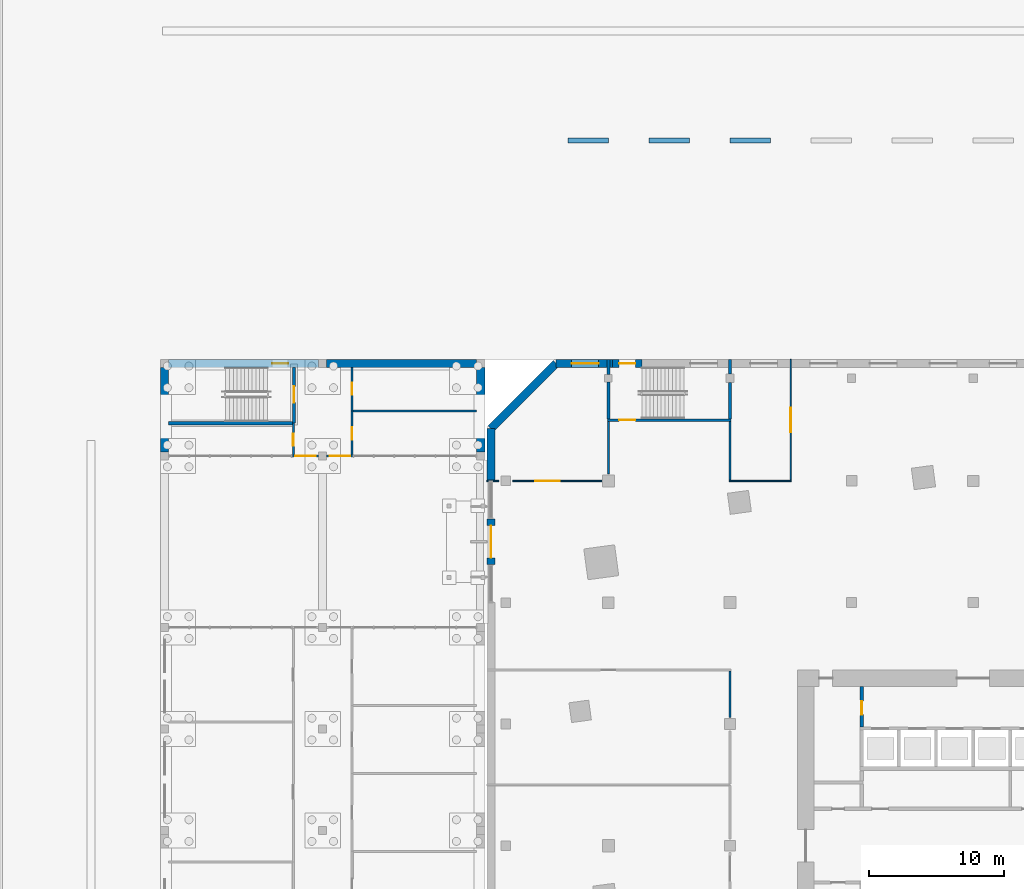
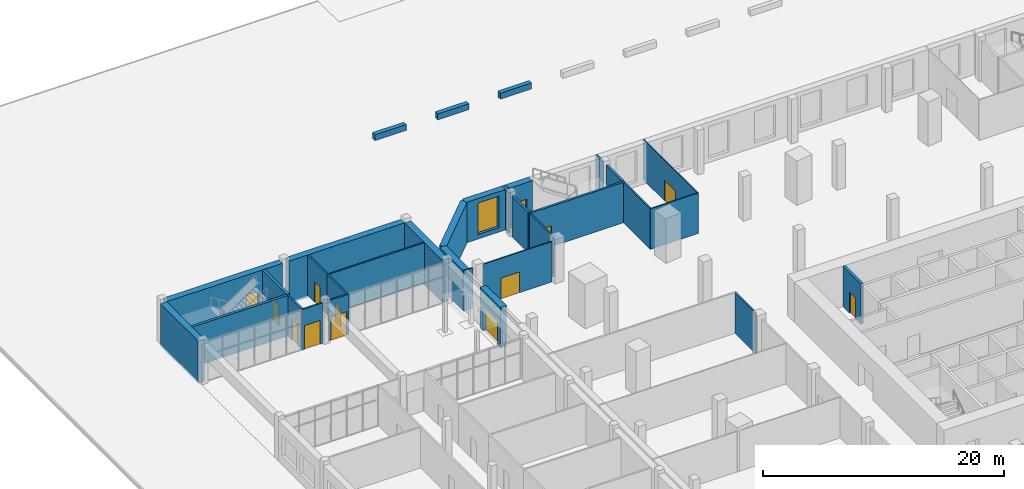
# One storey, part 30 of 42: 33 walls, 13 doors, 1 window, 14 openings.
"""IFC4 building model written with IfcOpenShell, lengths in metres."""

from ifc_helpers import new_model, si_unit, direction, frame, frame_2d, origin, place, context, subcontext, project, spatial, rectangle, extrude, material, layer, layer_set, type_object, element, fill, save


model = new_model("IFC4")

# Units and contexts
model_context = context("Model", 3, precision=1e-05, world=origin(), true_north=direction((0.0, 1.0)))
body_context = subcontext(model_context, "Body", "Model", "MODEL_VIEW")
ifc_project = project(units=[si_unit("LENGTHUNIT", "METRE"), si_unit("AREAUNIT", "SQUARE_METRE"), si_unit("VOLUMEUNIT", "CUBIC_METRE"), si_unit("PLANEANGLEUNIT", "RADIAN"), si_unit("MASSUNIT", "GRAM", prefix="KILO")], contexts=[model_context])

# Site, building, storey
site_placement = place(None, origin())
site = spatial("IfcSite", under=ifc_project, at=site_placement, CompositionType="ELEMENT")
building_placement = place(site_placement, origin())
building = spatial("IfcBuilding", under=site, at=building_placement, Name="Dilmun Exchange Tower", CompositionType="ELEMENT")
storey_placement = place(building_placement, origin())
storey = spatial("IfcBuildingStorey", under=building, at=storey_placement, Name="L00", CompositionType="ELEMENT", Elevation=0.0)

# Wall, opening, door
ifc_material_1 = material(Name="Concrete C40/50", Category="concrete")
ifc_layer_1 = layer(ifc_material_1, 0.25)
ifc_layer_set_1 = layer_set([ifc_layer_1], Name="Concrete C40/50")
wall_type_1 = type_object("IfcWallType", Name="Core partition wall 250", PredefinedType="PARTITIONING", material=ifc_layer_set_1)
wall_1_placement = place(storey_placement, frame((-8.25, 8.804931640625, 0.0), z_axis=(0.0, 0.0, 1.0), x_axis=(0.0, 1.0, 0.0)))
wall_1 = element("IfcWall", 1, at=wall_1_placement, inside=storey, type_object=wall_type_1, Name="L00 core partition wall 16", PredefinedType="PARTITIONING", context=body_context, shape_type="SweptSolid", body=[
    extrude(rectangle(XDim=2.989990234375, YDim=0.25, at=frame_2d((1.4951171875, 0.0))), origin(), (0.0, 0.0, 1.0), 4.10009765625),
])
opening_1_placement = place(wall_1_placement, frame((0.89501953125, 0.0, 0.0)))
opening_1 = element("IfcOpeningElement", 2, at=opening_1_placement, cuts=wall_1, Name="Opening CD4", PredefinedType="OPENING", context=body_context, shape_type="SweptSolid", body=[
    extrude(rectangle(XDim=1.0, YDim=2.10009765625, at=frame_2d((0.5, 1.050048828125))), frame((0.0, 0.135009765625, 0.0), z_axis=(0.0, -1.0, 0.0), x_axis=(1.0, 0.0, 0.0)), (0.0, 0.0, 1.0), 0.27001953125),
])
ifc_material_2 = material(Name="Fire-rated steel door set", Category="steel")
door_type_1 = type_object("IfcDoorType", Name="Core room door 1000x2100", OperationType="SINGLE_SWING_LEFT", PredefinedType="DOOR", material=ifc_material_2)
door_1_placement = place(opening_1_placement, origin())
door_1 = element("IfcDoor", 3, at=door_1_placement, inside=storey, type_object=door_type_1, Name="L00 door Fire command room", OperationType="SINGLE_SWING_LEFT", OverallHeight=2.10009765625, OverallWidth=1.0, PredefinedType="DOOR", context=body_context, shape_type="SweptSolid", body=[
    extrude(rectangle(XDim=1.0, YDim=2.10009765625, at=frame_2d((0.5, 1.050048828125))), frame((0.0, 0.02490234375, 0.0), z_axis=(0.0, -1.0, 0.0), x_axis=(1.0, 0.0, 0.0)), (0.0, 0.0, 1.0), 0.050048828125),
])
fill(opening_1, door_1)

# Walls
ifc_material_3 = material(Name="Fire partition EI 60 150 gypsum")
ifc_layer_2 = layer(ifc_material_3, 0.14990234375)
ifc_layer_set_2 = layer_set([ifc_layer_2], Name="Fire partition EI 60 150 gypsum")
wall_type_2 = type_object("IfcWallType", Name="Fire partition EI 60 150 gypsum", PredefinedType="PARTITIONING", material=ifc_layer_set_2)
wall_2_placement = place(storey_placement, frame((-27.0, 27.5, 0.0), z_axis=(0.0, 0.0, 1.0), x_axis=(0.0, 1.0, 0.0)))
element("IfcWall", 4, at=wall_2_placement, inside=storey, type_object=wall_type_2, Name="L00 partition", PredefinedType="PARTITIONING", context=body_context, shape_type="SweptSolid", body=[
    extrude(rectangle(XDim=3.89990234375, YDim=0.14990234375, at=frame_2d((1.949951171875, 0.0))), origin(), (0.0, 0.0, 1.0), 4.10009765625),
])
wall_3_placement = place(storey_placement, frame((-18.0, 9.5, 0.0), z_axis=(0.0, 0.0, 1.0), x_axis=(0.0, 1.0, 0.0)))
element("IfcWall", 5, at=wall_3_placement, inside=storey, type_object=wall_type_2, Name="L00 partition", PredefinedType="PARTITIONING", context=body_context, shape_type="SweptSolid", body=[
    extrude(rectangle(XDim=3.425048828125, YDim=0.14990234375, at=frame_2d((1.71240234375, 0.0))), origin(), (0.0, 0.0, 1.0), 4.10009765625),
])
wall_4_placement = place(storey_placement, frame((-18.0, 27.050048828125, 0.0), z_axis=(0.0, 0.0, 1.0), x_axis=(0.0, 1.0, 0.0)))
element("IfcWall", 6, at=wall_4_placement, inside=storey, type_object=wall_type_2, Name="L00 partition", PredefinedType="PARTITIONING", context=body_context, shape_type="SweptSolid", body=[
    extrude(rectangle(XDim=4.349853515625, YDim=0.14990234375, at=frame_2d((2.1748046875, 0.0))), origin(), (0.0, 0.0, 1.0), 4.10009765625),
])

# Wall, opening, door
ifc_material_4 = material(Name="Fire wall EI 120 200 blockwork", Category="masonry")
ifc_layer_3 = layer(ifc_material_4, 0.199951171875)
ifc_layer_set_3 = layer_set([ifc_layer_3], Name="Fire wall EI 120 200 blockwork")
wall_type_3 = type_object("IfcWallType", Name="Fire wall EI 120 200 blockwork", PredefinedType="PARTITIONING", material=ifc_layer_set_3)
wall_5_placement = place(storey_placement, frame((-27.074951171875, 31.5, 0.0), z_axis=(0.0, 0.0, 1.0), x_axis=(1.0, 0.0, 0.0)))
wall_5 = element("IfcWall", 7, at=wall_5_placement, inside=storey, type_object=wall_type_3, Name="L00 stair wall", PredefinedType="PARTITIONING", context=body_context, shape_type="SweptSolid", body=[
    extrude(rectangle(XDim=9.14990234375, YDim=0.199951171875, at=frame_2d((4.574951171875, 0.0))), origin(), (0.0, 0.0, 1.0), 4.10009765625),
])
opening_2_placement = place(wall_5_placement, frame((0.875, 0.0, 0.0)))
opening_2 = element("IfcOpeningElement", 8, at=opening_2_placement, cuts=wall_5, Name="Opening L00-D001", PredefinedType="OPENING", context=body_context, shape_type="SweptSolid", body=[
    extrude(rectangle(XDim=1.199951171875, YDim=2.10009765625, at=frame_2d((0.60009765625, 1.050048828125))), frame((0.0, 0.10986328125, 0.0), z_axis=(0.0, -1.0, 0.0), x_axis=(1.0, 0.0, 0.0)), (0.0, 0.0, 1.0), 0.219970703125),
])
ifc_material_5 = material(Name="Stair door FD90 1200 x 2100")
door_type_2 = type_object("IfcDoorType", Name="Stair door FD90 1200 x 2100", OperationType="SINGLE_SWING_LEFT", PredefinedType="DOOR", material=ifc_material_5)
door_2_placement = place(opening_2_placement, frame((1.199951171875, 0.0, 0.0), z_axis=(0.0, 0.0, 1.0), x_axis=(-1.0, 0.0, 0.0)))
door_2 = element("IfcDoor", 9, at=door_2_placement, inside=storey, type_object=door_type_2, Name="L00 door L00-D001", OperationType="SINGLE_SWING_LEFT", OverallHeight=2.10009765625, OverallWidth=1.199951171875, PredefinedType="DOOR", context=body_context, shape_type="SweptSolid", body=[
    extrude(rectangle(XDim=1.199951171875, YDim=2.10009765625, at=frame_2d((0.60009765625, 1.050048828125))), frame((0.0, 0.02490234375, 0.0), z_axis=(0.0, -1.0, 0.0), x_axis=(1.0, 0.0, 0.0)), (0.0, 0.0, 1.0), 0.050048828125),
])
fill(opening_2, door_2)

# Walls
wall_6_placement = place(storey_placement, frame((-27.0, 31.60009765625, 0.0), z_axis=(0.0, 0.0, 1.0), x_axis=(0.0, 1.0, 0.0)))
element("IfcWall", 10, at=wall_6_placement, inside=storey, type_object=wall_type_3, Name="L00 stair wall", PredefinedType="PARTITIONING", context=body_context, shape_type="SweptSolid", body=[
    extrude(rectangle(XDim=2.724853515625, YDim=0.199951171875, at=frame_2d((1.3623046875, 0.0))), origin(), (0.0, 0.0, 1.0), 4.10009765625),
])
wall_7_placement = place(storey_placement, frame((-27.0, 34.875, 0.0), z_axis=(0.0, 0.0, 1.0), x_axis=(0.0, 1.0, 0.0)))
element("IfcWall", 11, at=wall_7_placement, inside=storey, type_object=wall_type_3, Name="L00 stair wall", PredefinedType="PARTITIONING", context=body_context, shape_type="SweptSolid", body=[
    extrude(rectangle(XDim=1.125, YDim=0.199951171875, at=frame_2d((0.5625, 0.0))), origin(), (0.0, 0.0, 1.0), 4.10009765625),
])
wall_8_placement = place(storey_placement, frame((-18.0, 31.60009765625, 0.0), z_axis=(0.0, 0.0, 1.0), x_axis=(0.0, 1.0, 0.0)))
element("IfcWall", 12, at=wall_8_placement, inside=storey, type_object=wall_type_3, Name="L00 stair wall", PredefinedType="PARTITIONING", context=body_context, shape_type="SweptSolid", body=[
    extrude(rectangle(XDim=2.6875, YDim=0.199951171875, at=frame_2d((1.34375, 0.0))), origin(), (0.0, 0.0, 1.0), 4.10009765625),
])
wall_9_placement = place(storey_placement, frame((-18.0, 34.91259765625, 0.0), z_axis=(0.0, 0.0, 1.0), x_axis=(0.0, 1.0, 0.0)))
element("IfcWall", 13, at=wall_9_placement, inside=storey, type_object=wall_type_3, Name="L00 stair wall", PredefinedType="PARTITIONING", context=body_context, shape_type="SweptSolid", body=[
    extrude(rectangle(XDim=1.08740234375, YDim=0.199951171875, at=frame_2d((0.543701171875, 0.0))), origin(), (0.0, 0.0, 1.0), 4.10009765625),
])
ifc_material_6 = material(Name="Partition 100 gypsum")
ifc_layer_4 = layer(ifc_material_6, 0.10009765625)
ifc_layer_set_4 = layer_set([ifc_layer_4], Name="Partition 100 gypsum")
wall_type_4 = type_object("IfcWallType", Name="Partition 100 gypsum", PredefinedType="PARTITIONING", material=ifc_layer_set_4)
wall_10_placement = place(storey_placement, frame((-36.0, 27.0, 0.0), z_axis=(0.0, 0.0, 1.0), x_axis=(1.0, 0.0, 0.0)))
element("IfcWall", 14, at=wall_10_placement, inside=storey, type_object=wall_type_4, Name="L00 partition", PredefinedType="PARTITIONING", context=body_context, shape_type="SweptSolid", body=[
    extrude(rectangle(XDim=0.89990234375, YDim=0.10009765625, at=frame_2d((0.449951171875, 0.0))), origin(), (0.0, 0.0, 1.0), 4.10009765625),
])

# Wall, opening, door
wall_11_placement = place(storey_placement, frame((-34.10009765625, 27.0, 0.0), z_axis=(0.0, 0.0, 1.0), x_axis=(1.0, 0.0, 0.0)))
wall_11 = element("IfcWall", 15, at=wall_11_placement, inside=storey, type_object=wall_type_4, Name="L00 partition", PredefinedType="PARTITIONING", context=body_context, shape_type="SweptSolid", body=[
    extrude(rectangle(XDim=6.60009765625, YDim=0.10009765625, at=frame_2d((3.300048828125, 0.0))), origin(), (0.0, 0.0, 1.0), 4.10009765625),
])
opening_3_placement = place(wall_11_placement, frame((1.699951171875, 0.0, 0.0)))
opening_3 = element("IfcOpeningElement", 16, at=opening_3_placement, cuts=wall_11, Name="Opening L00-D008", PredefinedType="OPENING", context=body_context, shape_type="SweptSolid", body=[
    extrude(rectangle(XDim=1.800048828125, YDim=2.10009765625, at=frame_2d((0.89990234375, 1.050048828125))), frame((0.0, 0.06005859375, 0.0), z_axis=(0.0, -1.0, 0.0), x_axis=(1.0, 0.0, 0.0)), (0.0, 0.0, 1.0), 0.1201171875),
])
ifc_material_7 = material(Name="Double door 1800 x 2100")
door_type_3 = type_object("IfcDoorType", Name="Double door 1800 x 2100", OperationType="DOUBLE_DOOR_SINGLE_SWING", PredefinedType="DOOR", material=ifc_material_7)
door_3_placement = place(opening_3_placement, origin())
door_3 = element("IfcDoor", 17, at=door_3_placement, inside=storey, type_object=door_type_3, Name="L00 door L00-D008", OperationType="DOUBLE_DOOR_SINGLE_SWING", OverallHeight=2.10009765625, OverallWidth=1.800048828125, PredefinedType="DOOR", context=body_context, shape_type="SweptSolid", body=[
    extrude(rectangle(XDim=1.800048828125, YDim=2.10009765625, at=frame_2d((0.89990234375, 1.050048828125))), frame((0.0, 0.02490234375, 0.0), z_axis=(0.0, -1.0, 0.0), x_axis=(1.0, 0.0, 0.0)), (0.0, 0.0, 1.0), 0.050048828125),
])
fill(opening_3, door_3)

# Wall
wall_12_placement = place(storey_placement, frame((-18.074951171875, 27.0, 0.0), z_axis=(0.0, 0.0, 1.0), x_axis=(1.0, 0.0, 0.0)))
element("IfcWall", 18, at=wall_12_placement, inside=storey, type_object=wall_type_4, Name="L00 partition", PredefinedType="PARTITIONING", context=body_context, shape_type="SweptSolid", body=[
    extrude(rectangle(XDim=4.625, YDim=0.10009765625, at=frame_2d((2.3125, 0.0))), origin(), (0.0, 0.0, 1.0), 4.10009765625),
])

# Wall, opening, door
wall_13_placement = place(storey_placement, frame((-13.5, 27.050048828125, 0.0), z_axis=(0.0, 0.0, 1.0), x_axis=(0.0, 1.0, 0.0)))
wall_13 = element("IfcWall", 19, at=wall_13_placement, inside=storey, type_object=wall_type_4, Name="L00 partition", PredefinedType="PARTITIONING", context=body_context, shape_type="SweptSolid", body=[
    extrude(rectangle(XDim=8.949951171875, YDim=0.10009765625, at=frame_2d((4.47509765625, 0.0))), origin(), (0.0, 0.0, 1.0), 4.10009765625),
])
opening_4_placement = place(wall_13_placement, frame((3.550048828125, 0.0, 0.0)))
opening_4 = element("IfcOpeningElement", 20, at=opening_4_placement, cuts=wall_13, Name="Opening L00-D009", PredefinedType="OPENING", context=body_context, shape_type="SweptSolid", body=[
    extrude(rectangle(XDim=1.800048828125, YDim=2.10009765625, at=frame_2d((0.89990234375, 1.050048828125))), frame((0.0, 0.06005859375, 0.0), z_axis=(0.0, -1.0, 0.0), x_axis=(1.0, 0.0, 0.0)), (0.0, 0.0, 1.0), 0.1201171875),
])
door_4_placement = place(opening_4_placement, origin())
door_4 = element("IfcDoor", 21, at=door_4_placement, inside=storey, type_object=door_type_3, Name="L00 door L00-D009", OperationType="DOUBLE_DOOR_SINGLE_SWING", OverallHeight=2.10009765625, OverallWidth=1.800048828125, PredefinedType="DOOR", context=body_context, shape_type="SweptSolid", body=[
    extrude(rectangle(XDim=1.800048828125, YDim=2.10009765625, at=frame_2d((0.89990234375, 1.050048828125))), frame((0.0, 0.02490234375, 0.0), z_axis=(0.0, -1.0, 0.0), x_axis=(1.0, 0.0, 0.0)), (0.0, 0.0, 1.0), 0.050048828125),
])
fill(opening_4, door_4)

# Walls
ifc_material_8 = material(Name="Precast concrete C40/50", Category="concrete")
ifc_layer_5 = layer(ifc_material_8, 0.39990234375)
ifc_layer_set_5 = layer_set([ifc_layer_5], Name="Precast concrete C40/50")
wall_type_5 = type_object("IfcWallType", Name="Planter wall 400 precast C40/50", PredefinedType="USERDEFINED", material=ifc_layer_set_5)
for number, where, z_axis, x_axis, name in (
    (22, (-30.0, 52.199951171875, 0.0), (0.0, 0.0, 1.0), (1.0, 0.0, 0.0), "Planter"),
    (23, (-24.0, 52.199951171875, 0.0), (0.0, 0.0, 1.0), (1.0, 0.0, 0.0), "Planter"),
    (24, (-18.0, 52.199951171875, 0.0), (0.0, 0.0, 1.0), (1.0, 0.0, 0.0), "Planter"),
):
    element("IfcWall", number, at=place(storey_placement, frame(where, z_axis=z_axis, x_axis=x_axis)), inside=storey, type_object=wall_type_5, Name=name, ObjectType="PLANTER", PredefinedType="USERDEFINED", context=body_context, shape_type="SweptSolid", body=[
        extrude(rectangle(XDim=3.0, YDim=0.39990234375, at=frame_2d((1.5, 0.0))), origin(), (0.0, 0.0, 1.0), 0.60009765625),
    ])

# Wall, opening, door
ifc_material_9 = material(Name="Precast concrete C50/60", Category="concrete")
ifc_layer_6 = layer(ifc_material_9, 0.60009765625)
ifc_layer_set_6 = layer_set([ifc_layer_6], Name="Precast concrete C50/60")
wall_type_6 = type_object("IfcWallType", Name="Precast stone-clad wall 600", PredefinedType="STANDARD", material=ifc_layer_set_6)
wall_14_placement = place(storey_placement, frame((-26.699951171875, 35.699951171875, 0.0), z_axis=(0.0, 0.0, 1.0), x_axis=(1.0, 0.0, 0.0)))
wall_14 = element("IfcWall", 25, at=wall_14_placement, inside=storey, type_object=wall_type_6, Name="Facade wall L00-04-3", PredefinedType="STANDARD", context=body_context, shape_type="SweptSolid", body=[
    extrude(rectangle(XDim=2.199951171875, YDim=0.60009765625, at=frame_2d((1.10009765625, 0.0))), origin(), (0.0, 0.0, 1.0), 4.10009765625),
])
opening_5_placement = place(wall_14_placement, frame((0.5, 0.0, 0.0)))
opening_5 = element("IfcOpeningElement", 26, at=opening_5_placement, cuts=wall_14, Name="Opening XD1", PredefinedType="OPENING", context=body_context, shape_type="SweptSolid", body=[
    extrude(rectangle(XDim=1.199951171875, YDim=2.39990234375, at=frame_2d((0.60009765625, 1.199951171875))), frame((0.0, 0.31005859375, 0.0), z_axis=(0.0, -1.0, 0.0), x_axis=(1.0, 0.0, 0.0)), (0.0, 0.0, 1.0), 0.6201171875),
])
ifc_material_10 = material(Name="Clear low-emissivity glass in aluminium frame", Category="aluminium")
door_type_4 = type_object("IfcDoorType", Name="Glazed exit door 1200 x 2400", OperationType="SINGLE_SWING_LEFT", PredefinedType="DOOR", material=ifc_material_10)
door_5_placement = place(opening_5_placement, origin())
door_5 = element("IfcDoor", 27, at=door_5_placement, inside=storey, type_object=door_type_4, Name="Door X-PS1 stair discharge", OperationType="SINGLE_SWING_LEFT", OverallHeight=2.39990234375, OverallWidth=1.199951171875, PredefinedType="DOOR", context=body_context, shape_type="SweptSolid", body=[
    extrude(rectangle(XDim=1.199951171875, YDim=2.39990234375, at=frame_2d((0.60009765625, 1.199951171875))), frame((0.0, 0.02490234375, 0.0), z_axis=(0.0, -1.0, 0.0), x_axis=(1.0, 0.0, 0.0)), (0.0, 0.0, 1.0), 0.050048828125),
])
fill(opening_5, door_5)

# Wall, opening, window
wall_15_placement = place(storey_placement, frame((-26.699951171875, 35.699951171875, 0.0), z_axis=(0.0, 0.0, 1.0), x_axis=(-1.0, 0.0, 0.0)))
wall_15 = element("IfcWall", 28, at=wall_15_placement, inside=storey, type_object=wall_type_6, Name="Facade wall L00-04-4", PredefinedType="STANDARD", context=body_context, shape_type="SweptSolid", body=[
    extrude(rectangle(XDim=4.17578125, YDim=0.60009765625, at=frame_2d((2.087890625, 0.0))), origin(), (0.0, 0.0, 1.0), 4.10009765625),
])
opening_6_placement = place(wall_15_placement, frame((1.023681640625, 0.0, 0.449951171875)))
opening_6 = element("IfcOpeningElement", 29, at=opening_6_placement, cuts=wall_15, Name="Opening SF200-320", PredefinedType="OPENING", context=body_context, shape_type="SweptSolid", body=[
    extrude(rectangle(XDim=2.0, YDim=3.199951171875, at=frame_2d((1.0, 1.60009765625))), frame((0.0, 0.31005859375, 0.0), z_axis=(0.0, -1.0, 0.0), x_axis=(1.0, 0.0, 0.0)), (0.0, 0.0, 1.0), 0.6201171875),
])
window_type = type_object("IfcWindowType", Name="Shopfront window 2000 x 3200", PartitioningType="DOUBLE_PANEL_VERTICAL", PredefinedType="WINDOW", material=ifc_material_10)
window_placement = place(opening_6_placement, origin())
window = element("IfcWindow", 30, at=window_placement, inside=storey, type_object=window_type, Name="Window 5.14", OverallHeight=3.199951171875, OverallWidth=2.0, PartitioningType="SINGLE_PANEL", PredefinedType="WINDOW", context=body_context, shape_type="SweptSolid", body=[
    extrude(rectangle(XDim=2.0, YDim=3.199951171875, at=frame_2d((1.0, 1.60009765625))), frame((0.0, 0.030029296875, 0.0), z_axis=(0.0, -1.0, 0.0), x_axis=(1.0, 0.0, 0.0)), (0.0, 0.0, 1.0), 0.06005859375),
])
fill(opening_6, window)

# Walls
wall_16_placement = place(storey_placement, frame((-30.875732421875, 35.699951171875, 0.0), z_axis=(0.0, 0.0, 1.0), x_axis=(-0.707106781187, -0.707106781187, 0.0)))
element("IfcWall", 31, at=wall_16_placement, inside=storey, type_object=wall_type_6, Name="Facade wall L00-05-0", PredefinedType="STANDARD", context=body_context, shape_type="SweptSolid", body=[
    extrude(rectangle(XDim=6.822509765625, YDim=0.60009765625, at=frame_2d((3.4111328125, 0.0))), origin(), (0.0, 0.0, 1.0), 4.10009765625),
])
wall_17_placement = place(storey_placement, frame((-35.699951171875, 30.875732421875, 0.0), z_axis=(0.0, 0.0, 1.0), x_axis=(0.0, -1.0, 0.0)))
element("IfcWall", 32, at=wall_17_placement, inside=storey, type_object=wall_type_6, Name="Facade wall L00-06-0", PredefinedType="STANDARD", context=body_context, shape_type="SweptSolid", body=[
    extrude(rectangle(XDim=3.875732421875, YDim=0.60009765625, at=frame_2d((1.93798828125, 0.0))), origin(), (0.0, 0.0, 1.0), 4.10009765625),
])

# Wall, opening, door
wall_18_placement = place(storey_placement, frame((-35.699951171875, 20.800048828125, 0.0), z_axis=(0.0, 0.0, 1.0), x_axis=(0.0, 1.0, 0.0)))
wall_18 = element("IfcWall", 33, at=wall_18_placement, inside=storey, type_object=wall_type_6, Name="Facade wall L00-06-2", PredefinedType="STANDARD", context=body_context, shape_type="SweptSolid", body=[
    extrude(rectangle(XDim=3.39990234375, YDim=0.60009765625, at=frame_2d((1.699951171875, 0.0))), origin(), (0.0, 0.0, 1.0), 4.10009765625),
])
opening_7_placement = place(wall_18_placement, frame((0.5, 0.0, 0.0)))
opening_7 = element("IfcOpeningElement", 34, at=opening_7_placement, cuts=wall_18, Name="Opening ED1", PredefinedType="OPENING", context=body_context, shape_type="SweptSolid", body=[
    extrude(rectangle(XDim=2.39990234375, YDim=2.39990234375, at=frame_2d((1.199951171875, 1.199951171875))), frame((0.0, 0.31005859375, 0.0), z_axis=(0.0, -1.0, 0.0), x_axis=(1.0, 0.0, 0.0)), (0.0, 0.0, 1.0), 0.6201171875),
])
door_type_5 = type_object("IfcDoorType", Name="Glazed entrance door pair 2400 x 2400", OperationType="DOUBLE_DOOR_SINGLE_SWING", PredefinedType="DOOR", material=ifc_material_10)
door_6_placement = place(opening_7_placement, origin())
door_6 = element("IfcDoor", 35, at=door_6_placement, inside=storey, type_object=door_type_5, Name="Door X-CON-W entrance", OperationType="DOUBLE_DOOR_SINGLE_SWING", OverallHeight=2.39990234375, OverallWidth=2.39990234375, PredefinedType="DOOR", context=body_context, shape_type="SweptSolid", body=[
    extrude(rectangle(XDim=2.39990234375, YDim=2.39990234375, at=frame_2d((1.199951171875, 1.199951171875))), frame((0.0, 0.02490234375, 0.0), z_axis=(0.0, -1.0, 0.0), x_axis=(1.0, 0.0, 0.0)), (0.0, 0.0, 1.0), 0.050048828125),
])
fill(opening_7, door_6)

ifc_material_11 = material(Name="Gypsum board on steel studs", Category="steel")
ifc_layer_7 = layer(ifc_material_11, 0.14990234375)
ifc_layer_set_7 = layer_set([ifc_layer_7], Name="Gypsum board on steel studs")
wall_type_7 = type_object("IfcWallType", Name="School arcade end wall 150 glazed frame", PredefinedType="PARTITIONING", material=ifc_layer_set_7)
wall_19_placement = place(storey_placement, frame((-48.449951171875, 28.85009765625, 0.0), z_axis=(0.0, 0.0, 1.0), x_axis=(-1.0, 0.0, 0.0)))
wall_19 = element("IfcWall", 36, at=wall_19_placement, inside=storey, type_object=wall_type_7, Name="School arcade end wall", PredefinedType="PARTITIONING", context=body_context, shape_type="SweptSolid", body=[
    extrude(rectangle(XDim=1.949951171875, YDim=0.14990234375, at=frame_2d((0.97509765625, 0.0))), origin(), (0.0, 0.0, 1.0), 4.10009765625),
])
opening_8_placement = place(wall_19_placement, frame((0.22509765625, 0.0, 0.0)))
opening_8 = element("IfcOpeningElement", 37, at=opening_8_placement, cuts=wall_19, Name="Opening SCH-D5", PredefinedType="OPENING", context=body_context, shape_type="SweptSolid", body=[
    extrude(rectangle(XDim=1.5, YDim=2.39990234375, at=frame_2d((0.75, 1.199951171875))), frame((0.0, 0.0849609375, 0.0), z_axis=(0.0, -1.0, 0.0), x_axis=(1.0, 0.0, 0.0)), (0.0, 0.0, 1.0), 0.169921875),
])
door_type_6 = type_object("IfcDoorType", Name="School glazed double door 1500 x 2400", OperationType="DOUBLE_DOOR_SINGLE_SWING", PredefinedType="DOOR", material=ifc_material_10)
door_7_placement = place(opening_8_placement, origin())
door_7 = element("IfcDoor", 38, at=door_7_placement, inside=storey, type_object=door_type_6, Name="Corridor end door onto arcade", OperationType="DOUBLE_DOOR_SINGLE_SWING", OverallHeight=2.39990234375, OverallWidth=1.5, PredefinedType="DOOR", context=body_context, shape_type="SweptSolid", body=[
    extrude(rectangle(XDim=1.5, YDim=2.39990234375, at=frame_2d((0.75, 1.199951171875))), frame((0.0, 0.02490234375, 0.0), z_axis=(0.0, -1.0, 0.0), x_axis=(1.0, 0.0, 0.0)), (0.0, 0.0, 1.0), 0.050048828125),
])
fill(opening_8, door_7)

wall_20_placement = place(storey_placement, frame((-45.89990234375, 28.85009765625, 0.0), z_axis=(0.0, 0.0, 1.0), x_axis=(-1.0, 0.0, 0.0)))
wall_20 = element("IfcWall", 39, at=wall_20_placement, inside=storey, type_object=wall_type_7, Name="School arcade end wall", PredefinedType="PARTITIONING", context=body_context, shape_type="SweptSolid", body=[
    extrude(rectangle(XDim=1.9501953125, YDim=0.14990234375, at=frame_2d((0.97509765625, 0.0))), origin(), (0.0, 0.0, 1.0), 4.10009765625),
])
opening_9_placement = place(wall_20_placement, frame((0.22509765625, 0.0, 0.0)))
opening_9 = element("IfcOpeningElement", 40, at=opening_9_placement, cuts=wall_20, Name="Opening SCH-D5", PredefinedType="OPENING", context=body_context, shape_type="SweptSolid", body=[
    extrude(rectangle(XDim=1.5, YDim=2.39990234375, at=frame_2d((0.75, 1.199951171875))), frame((0.0, 0.0849609375, 0.0), z_axis=(0.0, -1.0, 0.0), x_axis=(1.0, 0.0, 0.0)), (0.0, 0.0, 1.0), 0.169921875),
])
door_8_placement = place(opening_9_placement, origin())
door_8 = element("IfcDoor", 41, at=door_8_placement, inside=storey, type_object=door_type_6, Name="Corridor end door onto arcade", OperationType="DOUBLE_DOOR_SINGLE_SWING", OverallHeight=2.39990234375, OverallWidth=1.5, PredefinedType="DOOR", context=body_context, shape_type="SweptSolid", body=[
    extrude(rectangle(XDim=1.5, YDim=2.39990234375, at=frame_2d((0.75, 1.199951171875))), frame((0.0, 0.02490234375, 0.0), z_axis=(0.0, -1.0, 0.0), x_axis=(1.0, 0.0, 0.0)), (0.0, 0.0, 1.0), 0.050048828125),
])
fill(opening_9, door_8)

# Wall
ifc_layer_8 = layer(ifc_material_8, 0.60009765625)
ifc_layer_set_8 = layer_set([ifc_layer_8], Name="Precast concrete C40/50")
wall_type_8 = type_object("IfcWallType", Name="School external wall 600 precast C40/50", PredefinedType="STANDARD", material=ifc_layer_set_8)
wall_21_placement = place(storey_placement, frame((-59.85009765625, 29.14990234375, -0.199951171875), z_axis=(0.0, 0.0, 1.0), x_axis=(0.0, 1.0, 0.0)))
element("IfcWall", 42, at=wall_21_placement, inside=storey, type_object=wall_type_8, Name="School external wall", PredefinedType="STANDARD", context=body_context, shape_type="SweptSolid", body=[
    extrude(rectangle(XDim=6.25, YDim=0.60009765625, at=frame_2d((3.125, 0.0))), origin(), (0.0, 0.0, 1.0), 4.300048828125),
])

# Wall, opening, door
wall_22_placement = place(storey_placement, frame((-59.550048828125, 35.699951171875, -0.199951171875), z_axis=(0.0, 0.0, 1.0), x_axis=(1.0, 0.0, 0.0)))
wall_22 = element("IfcWall", 43, at=wall_22_placement, inside=storey, type_object=wall_type_8, Name="School external wall", PredefinedType="STANDARD", context=body_context, shape_type="SweptSolid", body=[
    extrude(rectangle(XDim=11.10009765625, YDim=0.60009765625, at=frame_2d((5.550048828125, 0.0))), origin(), (0.0, 0.0, 1.0), 4.300048828125),
])
opening_10_placement = place(wall_22_placement, frame((7.64990234375, 0.0, 0.199951171875)))
opening_10 = element("IfcOpeningElement", 44, at=opening_10_placement, cuts=wall_22, Name="Opening SCH-D8", PredefinedType="OPENING", context=body_context, shape_type="SweptSolid", body=[
    extrude(rectangle(XDim=1.199951171875, YDim=2.10009765625, at=frame_2d((0.60009765625, 1.050048828125))), frame((0.0, 0.31005859375, 0.0), z_axis=(0.0, -1.0, 0.0), x_axis=(1.0, 0.0, 0.0)), (0.0, 0.0, 1.0), 0.6201171875),
])
ifc_material_12 = material(Name="Timber door leaf in steel frame", Category="steel")
door_type_7 = type_object("IfcDoorType", Name="School exit door FD60 1200 x 2100", OperationType="NOTDEFINED", PredefinedType="DOOR", material=ifc_material_12)
door_9_placement = place(opening_10_placement, origin())
door_9 = element("IfcDoor", 45, at=door_9_placement, inside=storey, type_object=door_type_7, Name="Stair S1 exit door", OperationType="SINGLE_SWING_RIGHT", OverallHeight=2.10009765625, OverallWidth=1.199951171875, PredefinedType="DOOR", context=body_context, shape_type="SweptSolid", body=[
    extrude(rectangle(XDim=1.199951171875, YDim=2.10009765625, at=frame_2d((0.60009765625, 1.050048828125))), frame((0.0, 0.02490234375, 0.0), z_axis=(0.0, -1.0, 0.0), x_axis=(1.0, 0.0, 0.0)), (0.0, 0.0, 1.0), 0.050048828125),
])
fill(opening_10, door_9)

# Walls
wall_23_placement = place(storey_placement, frame((-47.85009765625, 35.699951171875, -0.199951171875), z_axis=(0.0, 0.0, 1.0), x_axis=(1.0, 0.0, 0.0)))
element("IfcWall", 46, at=wall_23_placement, inside=storey, type_object=wall_type_8, Name="School external wall", PredefinedType="STANDARD", context=body_context, shape_type="SweptSolid", body=[
    extrude(rectangle(XDim=11.10009765625, YDim=0.60009765625, at=frame_2d((5.550048828125, 0.0))), origin(), (0.0, 0.0, 1.0), 4.300048828125),
])
wall_24_placement = place(storey_placement, frame((-36.449951171875, 35.39990234375, -0.199951171875), z_axis=(0.0, 0.0, 1.0), x_axis=(0.0, -1.0, 0.0)))
element("IfcWall", 47, at=wall_24_placement, inside=storey, type_object=wall_type_8, Name="School external wall", PredefinedType="STANDARD", context=body_context, shape_type="SweptSolid", body=[
    extrude(rectangle(XDim=6.25, YDim=0.60009765625, at=frame_2d((3.125, 0.0))), origin(), (0.0, 0.0, 1.0), 4.300048828125),
])

# Wall, opening, door
ifc_layer_9 = layer(ifc_material_11, 0.14990234375)
ifc_layer_set_9 = layer_set([ifc_layer_9], Name="Gypsum board on steel studs")
wall_type_9 = type_object("IfcWallType", Name="School partition 150 gypsum board", PredefinedType="PARTITIONING", material=ifc_layer_set_9)
wall_25_placement = place(storey_placement, frame((-50.324951171875, 28.925048828125, 0.0), z_axis=(0.0, 0.0, 1.0), x_axis=(0.0, 1.0, 0.0)))
wall_25 = element("IfcWall", 48, at=wall_25_placement, inside=storey, type_object=wall_type_9, Name="School corridor wall", PredefinedType="PARTITIONING", context=body_context, shape_type="SweptSolid", body=[
    extrude(rectangle(XDim=2.349853515625, YDim=0.14990234375, at=frame_2d((1.1748046875, 0.0))), origin(), (0.0, 0.0, 1.0), 4.10009765625),
])
opening_11_placement = place(wall_25_placement, frame((0.66259765625, 0.0, 0.0)))
opening_11 = element("IfcOpeningElement", 49, at=opening_11_placement, cuts=wall_25, Name="Opening SCH-D2", PredefinedType="OPENING", context=body_context, shape_type="SweptSolid", body=[
    extrude(rectangle(XDim=0.89990234375, YDim=2.10009765625, at=frame_2d((0.449951171875, 1.050048828125))), frame((0.0, 0.0849609375, 0.0), z_axis=(0.0, -1.0, 0.0), x_axis=(1.0, 0.0, 0.0)), (0.0, 0.0, 1.0), 0.169921875),
])
door_type_8 = type_object("IfcDoorType", Name="School door FD30S 900 x 2100", OperationType="NOTDEFINED", PredefinedType="DOOR", material=ifc_material_12)
door_10_placement = place(opening_11_placement, origin())
door_10 = element("IfcDoor", 50, at=door_10_placement, inside=storey, type_object=door_type_8, Name="Janitor's store door", OperationType="SINGLE_SWING_RIGHT", OverallHeight=2.10009765625, OverallWidth=0.89990234375, PredefinedType="DOOR", context=body_context, shape_type="SweptSolid", body=[
    extrude(rectangle(XDim=0.89990234375, YDim=2.10009765625, at=frame_2d((0.449951171875, 1.050048828125))), frame((0.0, 0.02490234375, 0.0), z_axis=(0.0, -1.0, 0.0), x_axis=(1.0, 0.0, 0.0)), (0.0, 0.0, 1.0), 0.050048828125),
])
fill(opening_11, door_10)

# Wall
wall_26_placement = place(storey_placement, frame((-45.89990234375, 32.16259765625, 0.0), z_axis=(0.0, 0.0, 1.0), x_axis=(1.0, 0.0, 0.0)))
element("IfcWall", 51, at=wall_26_placement, inside=storey, type_object=wall_type_9, Name="School partition", PredefinedType="PARTITIONING", context=body_context, shape_type="SweptSolid", body=[
    extrude(rectangle(XDim=9.14990234375, YDim=0.14990234375, at=frame_2d((4.574951171875, 0.0))), origin(), (0.0, 0.0, 1.0), 4.10009765625),
])

# Wall, opening, door
wall_27_placement = place(storey_placement, frame((-45.97509765625, 28.925048828125, 0.0), z_axis=(0.0, 0.0, 1.0), x_axis=(0.0, 1.0, 0.0)))
wall_27 = element("IfcWall", 52, at=wall_27_placement, inside=storey, type_object=wall_type_9, Name="School corridor wall", PredefinedType="PARTITIONING", context=body_context, shape_type="SweptSolid", body=[
    extrude(rectangle(XDim=3.237548828125, YDim=0.14990234375, at=frame_2d((1.61865234375, 0.0))), origin(), (0.0, 0.0, 1.0), 4.10009765625),
])
opening_12_placement = place(wall_27_placement, frame((1.13134765625, 0.0, 0.0)))
opening_12 = element("IfcOpeningElement", 53, at=opening_12_placement, cuts=wall_27, Name="Opening SCH-D2", PredefinedType="OPENING", context=body_context, shape_type="SweptSolid", body=[
    extrude(rectangle(XDim=0.89990234375, YDim=2.10009765625, at=frame_2d((0.449951171875, 1.050048828125))), frame((0.0, 0.0849609375, 0.0), z_axis=(0.0, -1.0, 0.0), x_axis=(1.0, 0.0, 0.0)), (0.0, 0.0, 1.0), 0.169921875),
])
door_11_placement = place(opening_12_placement, origin())
door_11 = element("IfcDoor", 54, at=door_11_placement, inside=storey, type_object=door_type_8, Name="Staff WC door", OperationType="SINGLE_SWING_RIGHT", OverallHeight=2.10009765625, OverallWidth=0.89990234375, PredefinedType="DOOR", context=body_context, shape_type="SweptSolid", body=[
    extrude(rectangle(XDim=0.89990234375, YDim=2.10009765625, at=frame_2d((0.449951171875, 1.050048828125))), frame((0.0, 0.02490234375, 0.0), z_axis=(0.0, -1.0, 0.0), x_axis=(1.0, 0.0, 0.0)), (0.0, 0.0, 1.0), 0.050048828125),
])
fill(opening_12, door_11)

wall_28_placement = place(storey_placement, frame((-45.97509765625, 32.16259765625, 0.0), z_axis=(0.0, 0.0, 1.0), x_axis=(0.0, 1.0, 0.0)))
wall_28 = element("IfcWall", 55, at=wall_28_placement, inside=storey, type_object=wall_type_9, Name="School corridor wall", PredefinedType="PARTITIONING", context=body_context, shape_type="SweptSolid", body=[
    extrude(rectangle(XDim=3.2373046875, YDim=0.14990234375, at=frame_2d((1.61865234375, 0.0))), origin(), (0.0, 0.0, 1.0), 4.10009765625),
])
opening_13_placement = place(wall_28_placement, frame((1.206298828125, 0.0, 0.0)))
opening_13 = element("IfcOpeningElement", 56, at=opening_13_placement, cuts=wall_28, Name="Opening SCH-D2", PredefinedType="OPENING", context=body_context, shape_type="SweptSolid", body=[
    extrude(rectangle(XDim=0.89990234375, YDim=2.10009765625, at=frame_2d((0.449951171875, 1.050048828125))), frame((0.0, 0.0849609375, 0.0), z_axis=(0.0, -1.0, 0.0), x_axis=(1.0, 0.0, 0.0)), (0.0, 0.0, 1.0), 0.169921875),
])
door_12_placement = place(opening_13_placement, origin())
door_12 = element("IfcDoor", 57, at=door_12_placement, inside=storey, type_object=door_type_8, Name="Book store door", OperationType="SINGLE_SWING_LEFT", OverallHeight=2.10009765625, OverallWidth=0.89990234375, PredefinedType="DOOR", context=body_context, shape_type="SweptSolid", body=[
    extrude(rectangle(XDim=0.89990234375, YDim=2.10009765625, at=frame_2d((0.449951171875, 1.050048828125))), frame((0.0, 0.02490234375, 0.0), z_axis=(0.0, -1.0, 0.0), x_axis=(1.0, 0.0, 0.0)), (0.0, 0.0, 1.0), 0.050048828125),
])
fill(opening_13, door_12)

# Wall
ifc_layer_10 = layer(ifc_material_1, 0.25)
ifc_layer_set_10 = layer_set([ifc_layer_10], Name="Concrete C40/50")
wall_type_10 = type_object("IfcWallType", Name="School stair and lift wall 250 C40/50", PredefinedType="SHEAR", material=ifc_layer_set_10)
wall_29_placement = place(storey_placement, frame((-59.550048828125, 31.27490234375, 0.0), z_axis=(0.0, 0.0, 1.0), x_axis=(1.0, 0.0, 0.0)))
element("IfcWall", 58, at=wall_29_placement, inside=storey, type_object=wall_type_10, Name="School stair or lift wall", PredefinedType="SHEAR", context=body_context, shape_type="SweptSolid", body=[
    extrude(rectangle(XDim=9.150146484375, YDim=0.25, at=frame_2d((4.5751953125, 0.0))), origin(), (0.0, 0.0, 1.0), 4.10009765625),
])

# Wall, opening, door
wall_30_placement = place(storey_placement, frame((-50.27490234375, 31.27490234375, 0.0), z_axis=(0.0, 0.0, 1.0), x_axis=(0.0, 1.0, 0.0)))
wall_30 = element("IfcWall", 59, at=wall_30_placement, inside=storey, type_object=wall_type_10, Name="School corridor wall", PredefinedType="SHEAR", context=body_context, shape_type="SweptSolid", body=[
    extrude(rectangle(XDim=4.125, YDim=0.25, at=frame_2d((2.0625, 0.0))), origin(), (0.0, 0.0, 1.0), 4.10009765625),
])
opening_14_placement = place(wall_30_placement, frame((1.52490234375, 0.0, 0.0)))
opening_14 = element("IfcOpeningElement", 60, at=opening_14_placement, cuts=wall_30, Name="Opening SCH-D3", PredefinedType="OPENING", context=body_context, shape_type="SweptSolid", body=[
    extrude(rectangle(XDim=1.199951171875, YDim=2.10009765625, at=frame_2d((0.60009765625, 1.050048828125))), frame((0.0, 0.135009765625, 0.0), z_axis=(0.0, -1.0, 0.0), x_axis=(1.0, 0.0, 0.0)), (0.0, 0.0, 1.0), 0.27001953125),
])
door_type_9 = type_object("IfcDoorType", Name="School stair door FD60 1200 x 2100", OperationType="NOTDEFINED", PredefinedType="DOOR", material=ifc_material_12)
door_13_placement = place(opening_14_placement, origin())
door_13 = element("IfcDoor", 61, at=door_13_placement, inside=storey, type_object=door_type_9, Name="Stair S1 door", OperationType="SINGLE_SWING_LEFT", OverallHeight=2.10009765625, OverallWidth=1.199951171875, PredefinedType="DOOR", context=body_context, shape_type="SweptSolid", body=[
    extrude(rectangle(XDim=1.199951171875, YDim=2.10009765625, at=frame_2d((0.60009765625, 1.050048828125))), frame((0.0, 0.02490234375, 0.0), z_axis=(0.0, -1.0, 0.0), x_axis=(1.0, 0.0, 0.0)), (0.0, 0.0, 1.0), 0.050048828125),
])
fill(opening_14, door_13)

save(model, "model.ifc")
